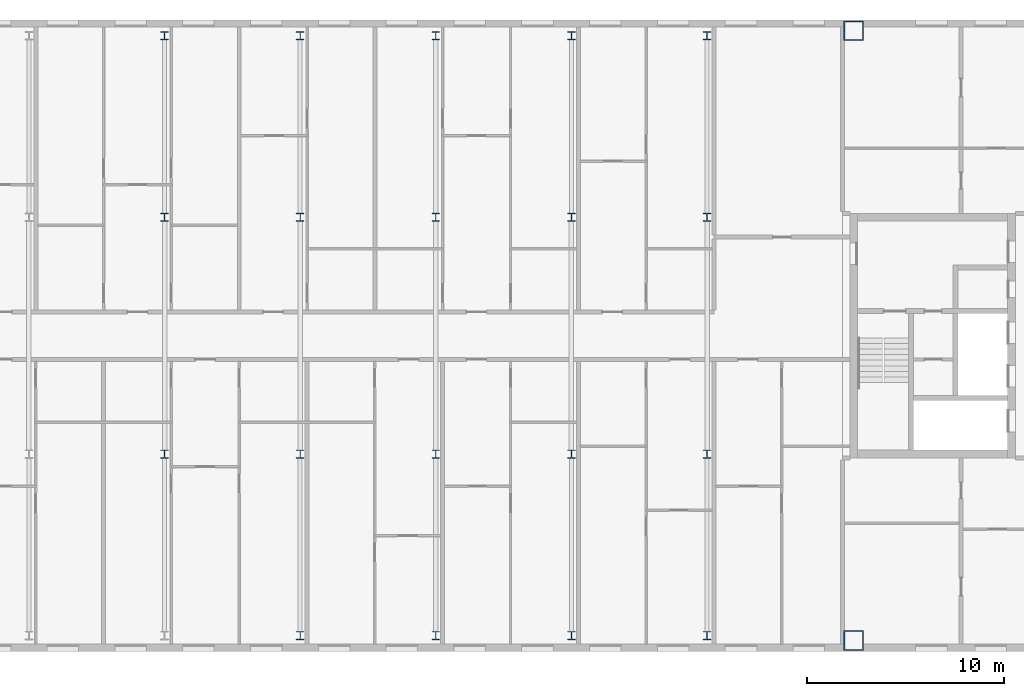
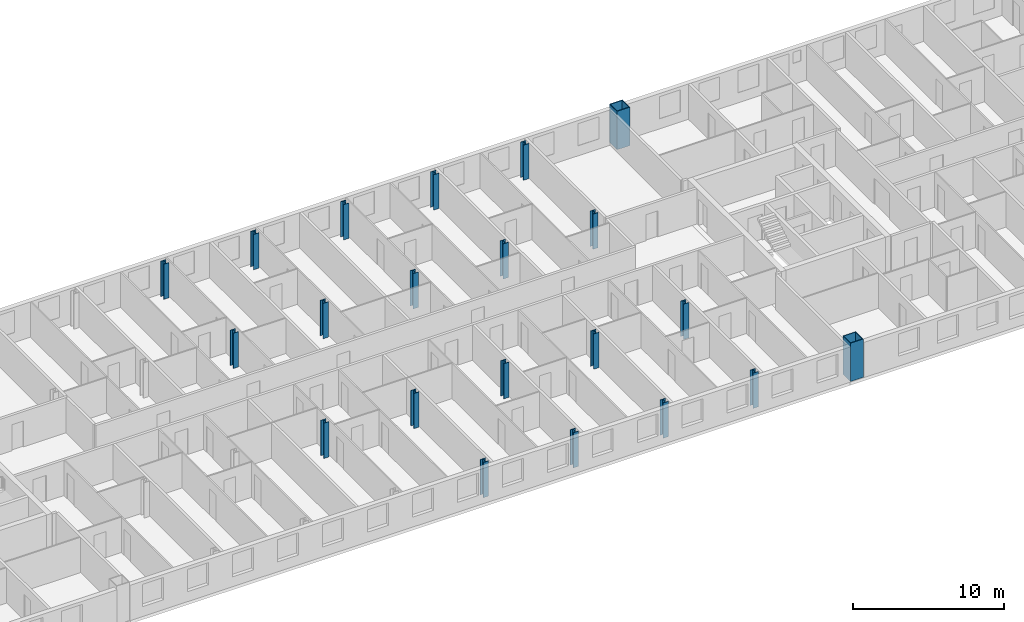
# One storey, part 2 of 19: 21 columns.
"""IFC4 building model written with IfcOpenShell, lengths in metres."""

from ifc_helpers import new_model, si_unit, direction, frame, origin, origin_2d, place, context, subcontext, project, spatial, hollow_rectangle, i_section, extrude, material, material_profile, profile_set, type_object, element, save


model = new_model("IFC4")

# Units and contexts
model_context = context("Model", 3, precision=1e-05, world=origin(), true_north=direction((0.0, 1.0)))
body_context = subcontext(model_context, "Body", "Model", "MODEL_VIEW")
ifc_project = project(units=[si_unit("LENGTHUNIT", "METRE"), si_unit("AREAUNIT", "SQUARE_METRE"), si_unit("VOLUMEUNIT", "CUBIC_METRE"), si_unit("PLANEANGLEUNIT", "RADIAN"), si_unit("MASSUNIT", "GRAM", prefix="KILO")], contexts=[model_context])

# Site, building, storey
site_placement = place(None, origin())
site = spatial("IfcSite", under=ifc_project, at=site_placement, CompositionType="ELEMENT")
building_placement = place(site_placement, origin())
building = spatial("IfcBuilding", under=site, at=building_placement, Name="Tuart Gate Housing", CompositionType="ELEMENT")
storey_placement = place(building_placement, frame((0.0, 0.0, 227.60009765625)))
storey = spatial("IfcBuildingStorey", under=building, at=storey_placement, Name="L64", CompositionType="ELEMENT", Elevation=227.60009765625)

# Columns
ifc_material_1 = material(Name="Steel Grade 350", Category="steel")
ifc_material_profile_1 = material_profile(ifc_material_1, i_section(OverallWidth=0.39990234375, OverallDepth=0.429931640625, WebThickness=0.0400390625, FlangeThickness=0.0400390625, at=origin_2d()), Name="400WC361")
ifc_profile_set_1 = profile_set([ifc_material_profile_1], Name="Steel Grade 350")
column_type_1 = type_object("IfcColumnType", Name="Link column 400 WC361", PredefinedType="COLUMN", material=ifc_profile_set_1)
for number, where, z_axis, x_axis, name in (
    (1, (103.5, 54.800048828125, 0.0), (0.0, 0.0, 1.0), (1.0, 0.0, 0.0), "Link column line 1 point 4 L64"),
    (2, (110.375, 54.800048828125, 0.0), (0.0, 0.0, 1.0), (1.0, 0.0, 0.0), "Link column line 1 point 5 L64"),
    (3, (117.25, 54.800048828125, 0.0), (0.0, 0.0, 1.0), (1.0, 0.0, 0.0), "Link column line 1 point 6 L64"),
    (4, (124.125, 54.800048828125, 0.0), (0.0, 0.0, 1.0), (1.0, 0.0, 0.0), "Link column line 1 point 7 L64"),
    (5, (96.625, 64.0, 0.0), (0.0, 0.0, 1.0), (1.0, 0.0, 0.0), "Link column line 2 point 3 L64"),
    (6, (103.5, 64.0, 0.0), (0.0, 0.0, 1.0), (1.0, 0.0, 0.0), "Link column line 2 point 4 L64"),
    (7, (110.375, 64.0, 0.0), (0.0, 0.0, 1.0), (1.0, 0.0, 0.0), "Link column line 2 point 5 L64"),
    (8, (117.25, 64.0, 0.0), (0.0, 0.0, 1.0), (1.0, 0.0, 0.0), "Link column line 2 point 6 L64"),
    (9, (124.125, 64.0, 0.0), (0.0, 0.0, 1.0), (1.0, 0.0, 0.0), "Link column line 2 point 7 L64"),
    (10, (96.625, 76.0, 0.0), (0.0, 0.0, 1.0), (1.0, 0.0, 0.0), "Link column line 3 point 3 L64"),
    (11, (103.5, 76.0, 0.0), (0.0, 0.0, 1.0), (1.0, 0.0, 0.0), "Link column line 3 point 4 L64"),
    (12, (110.375, 76.0, 0.0), (0.0, 0.0, 1.0), (1.0, 0.0, 0.0), "Link column line 3 point 5 L64"),
    (13, (117.25, 76.0, 0.0), (0.0, 0.0, 1.0), (1.0, 0.0, 0.0), "Link column line 3 point 6 L64"),
    (14, (124.125, 76.0, 0.0), (0.0, 0.0, 1.0), (1.0, 0.0, 0.0), "Link column line 3 point 7 L64"),
    (15, (96.625, 85.199951171875, 0.0), (0.0, 0.0, 1.0), (1.0, 0.0, 0.0), "Link column line 4 point 3 L64"),
    (16, (103.5, 85.199951171875, 0.0), (0.0, 0.0, 1.0), (1.0, 0.0, 0.0), "Link column line 4 point 4 L64"),
    (17, (110.375, 85.199951171875, 0.0), (0.0, 0.0, 1.0), (1.0, 0.0, 0.0), "Link column line 4 point 5 L64"),
    (18, (117.25, 85.199951171875, 0.0), (0.0, 0.0, 1.0), (1.0, 0.0, 0.0), "Link column line 4 point 6 L64"),
    (19, (124.125, 85.199951171875, 0.0), (0.0, 0.0, 1.0), (1.0, 0.0, 0.0), "Link column line 4 point 7 L64"),
):
    element("IfcColumn", number, at=place(storey_placement, frame(where, z_axis=z_axis, x_axis=x_axis)), inside=storey, type_object=column_type_1, Name=name, PredefinedType="COLUMN", context=body_context, shape_type="SweptSolid", body=[
        extrude(i_section(OverallWidth=0.39990234375, OverallDepth=0.429931640625, WebThickness=0.0400390625, FlangeThickness=0.0400390625, at=origin_2d()), origin(), (0.0, 0.0, 1.0), 2.849853515625),
    ])
ifc_material_2 = material(Name="Steel Grade 350", Category="steel")
ifc_material_profile_2 = material_profile(ifc_material_2, hollow_rectangle(XDim=1.0, YDim=1.0, WallThickness=0.054931640625, at=origin_2d()), Name="BOX 1000x1000x55")
ifc_profile_set_2 = profile_set([ifc_material_profile_2], Name="Steel Grade 350")
column_type_2 = type_object("IfcColumnType", Name="Mega column BOX 1000x1000x55", PredefinedType="COLUMN", material=ifc_profile_set_2)
for number, where, z_axis, x_axis, name in (
    (20, (131.550048828125, 54.550048828125, 0.0), (0.0, 0.0, 1.0), (1.0, 0.0, 0.0), "Mega column B south-west L64"),
    (21, (131.550048828125, 85.449951171875, 0.0), (0.0, 0.0, 1.0), (1.0, 0.0, 0.0), "Mega column B north-west L64"),
):
    element("IfcColumn", number, at=place(storey_placement, frame(where, z_axis=z_axis, x_axis=x_axis)), inside=storey, type_object=column_type_2, Name=name, PredefinedType="COLUMN", context=body_context, shape_type="SweptSolid", body=[
        extrude(hollow_rectangle(XDim=1.0, YDim=1.0, WallThickness=0.054931640625, at=origin_2d()), origin(), (0.0, 0.0, 1.0), 3.099853515625),
    ])

save(model, "model.ifc")
